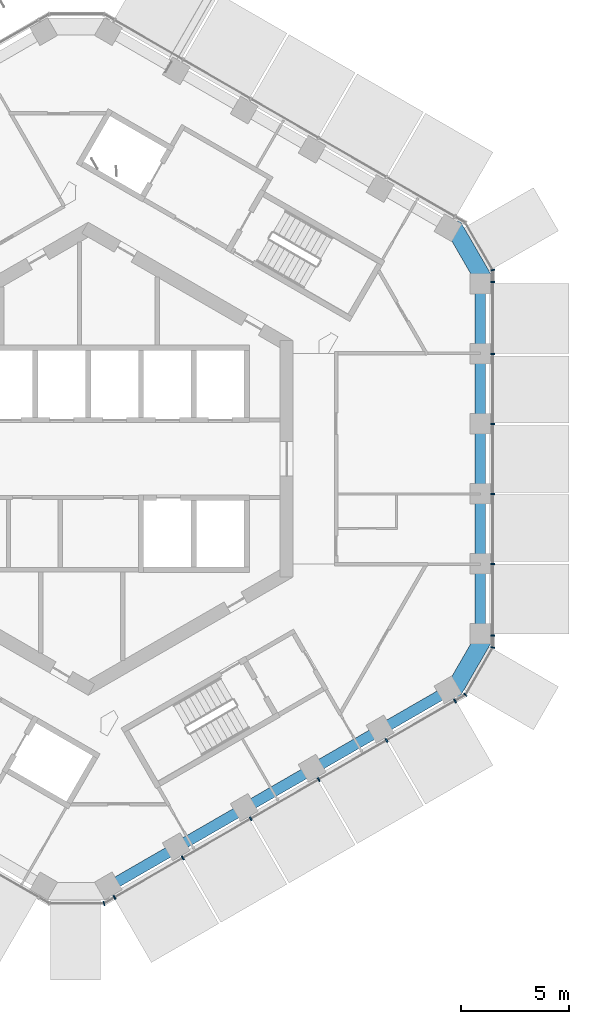
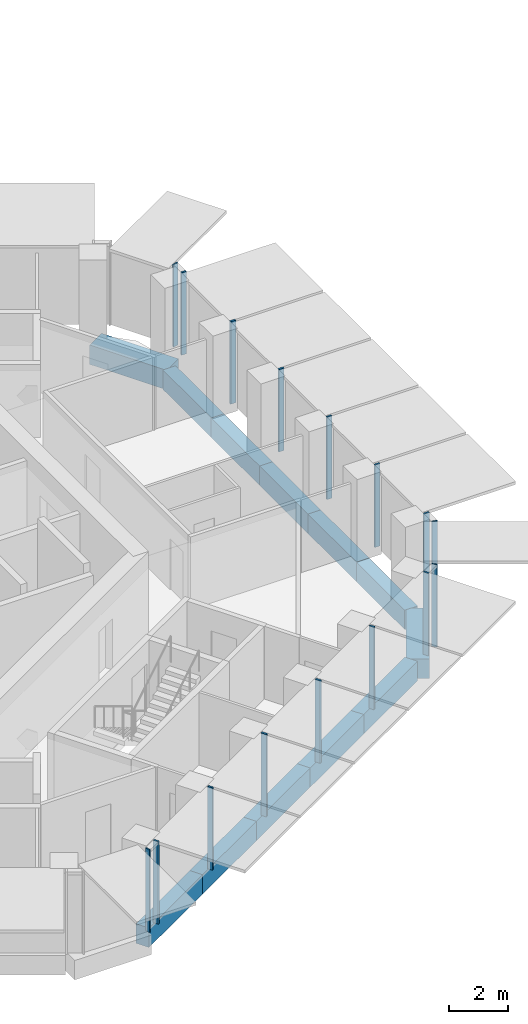
# One storey, part 4 of 21: 16 members, 12 beams, 5 elements without a shape of their own.
"""IFC4 building model written with IfcOpenShell, lengths in metres."""

from ifc_helpers import new_model, si_unit, direction, frame, origin, origin_2d, place, context, subcontext, project, spatial, rectangle, extrude, material, layer, layer_set, material_profile, profile_set, type_object, element, aggregate, save


model = new_model("IFC4")

# Units and contexts
model_context = context("Model", 3, precision=1e-05, world=origin(), true_north=direction((0.0, 1.0)))
body_context = subcontext(model_context, "Body", "Model", "MODEL_VIEW")
ifc_project = project(units=[si_unit("LENGTHUNIT", "METRE"), si_unit("AREAUNIT", "SQUARE_METRE"), si_unit("VOLUMEUNIT", "CUBIC_METRE"), si_unit("PLANEANGLEUNIT", "RADIAN"), si_unit("MASSUNIT", "GRAM", prefix="KILO")], contexts=[model_context])

# Site, building, storey
site_placement = place(None, origin())
site = spatial("IfcSite", under=ifc_project, at=site_placement, CompositionType="ELEMENT")
building_placement = place(site_placement, origin())
building = spatial("IfcBuilding", under=site, at=building_placement, Name="Ayvan Gate Tower", CompositionType="ELEMENT")
storey_placement = place(building_placement, frame((0.0, 0.0, 183.300048828125)))
storey = spatial("IfcBuildingStorey", under=building, at=storey_placement, Name="L49", CompositionType="ELEMENT", Elevation=183.300048828125)

# Beams
ifc_material_1 = material(Name="Concrete C40/50", Category="concrete")
ifc_material_profile_1 = material_profile(ifc_material_1, rectangle(XDim=0.800048828125, YDim=0.800048828125, at=origin_2d()), Name="RC 800x800")
ifc_profile_set_1 = profile_set([ifc_material_profile_1], Name="Concrete C40/50")
beam_type_1 = type_object("IfcBeamType", Name="Corner spandrel beam RC 800x800 C40/50", PredefinedType="BEAM", material=ifc_profile_set_1)
for number, where, z_axis, x_axis, name in (
    (1, (18.376953125, 8.2763671875, -0.75), (-0.50002537861, 0.866010750942, 0.0), (-0.866010750942, -0.50002537861, 0.0), "SB-L49-6"),
    (2, (16.876953125, -10.874267578125, -0.75), (0.50002537861, 0.866010750942, 0.0), (-0.866010750942, 0.50002537861, 0.0), "SB-L49-36"),
):
    element("IfcBeam", number, at=place(storey_placement, frame(where, z_axis=z_axis, x_axis=x_axis)), inside=storey, type_object=beam_type_1, Name=name, PredefinedType="BEAM", context=body_context, shape_type="SweptSolid", body=[
        extrude(rectangle(XDim=0.800048828125, YDim=0.800048828125, at=origin_2d()), origin(), (0.0, 0.0, 1.0), 2.999755859375),
    ])
ifc_material_profile_2 = material_profile(ifc_material_1, rectangle(XDim=0.5, YDim=0.800048828125, at=origin_2d()), Name="RC 500x800")
ifc_profile_set_2 = profile_set([ifc_material_profile_2], Name="Concrete C40/50")
beam_type_2 = type_object("IfcBeamType", Name="Spandrel beam RC 500x800 C40/50", PredefinedType="BEAM", material=ifc_profile_set_2)
beam_1_placement = place(storey_placement, frame((18.1865234375, -8.166259765625, -0.75), z_axis=(0.0, 1.0, 0.0), x_axis=(-1.0, 0.0, 0.0)))
element("IfcBeam", 3, at=beam_1_placement, inside=storey, type_object=beam_type_2, Name="SB-L49-1", PredefinedType="BEAM", context=body_context, shape_type="SweptSolid", body=[
    extrude(rectangle(XDim=0.5, YDim=0.800048828125, at=origin_2d()), origin(), (0.0, 0.0, 1.0), 3.266357421875),
])
for number, where, z_axis, x_axis, name in (
    (4, (18.1865234375, -4.89990234375, -0.75), (0.0, 1.0, 0.0), (-1.0, 0.0, 0.0), "SB-L49-2"),
    (5, (18.1865234375, -1.63330078125, -0.75), (0.0, 1.0, 0.0), (-1.0, 0.0, 0.0), "SB-L49-3"),
    (6, (18.1865234375, 1.63330078125, -0.75), (0.0, 1.0, 0.0), (-1.0, 0.0, 0.0), "SB-L49-4"),
):
    element("IfcBeam", number, at=place(storey_placement, frame(where, z_axis=z_axis, x_axis=x_axis)), inside=storey, type_object=beam_type_2, Name=name, PredefinedType="BEAM", context=body_context, shape_type="SweptSolid", body=[
        extrude(rectangle(XDim=0.5, YDim=0.800048828125, at=origin_2d()), origin(), (0.0, 0.0, 1.0), 3.2666015625),
    ])
beam_2_placement = place(storey_placement, frame((18.1865234375, 4.89990234375, -0.75), z_axis=(0.0, 1.0, 0.0), x_axis=(-1.0, 0.0, 0.0)))
element("IfcBeam", 7, at=beam_2_placement, inside=storey, type_object=beam_type_2, Name="SB-L49-5", PredefinedType="BEAM", context=body_context, shape_type="SweptSolid", body=[
    extrude(rectangle(XDim=0.5, YDim=0.800048828125, at=origin_2d()), origin(), (0.0, 0.0, 1.0), 3.266357421875),
])
beam_3_placement = place(storey_placement, frame((0.97900390625, -19.833251953125, -0.75), z_axis=(0.865989436427, 0.500062292116, 0.0), x_axis=(-0.500062292116, 0.865989436427, 0.0)))
element("IfcBeam", 8, at=beam_3_placement, inside=storey, type_object=beam_type_2, Name="SB-L49-31", PredefinedType="BEAM", context=body_context, shape_type="SweptSolid", body=[
    extrude(rectangle(XDim=0.5, YDim=0.800048828125, at=origin_2d()), origin(), (0.0, 0.0, 1.0), 3.62744140625),
])
for number, where, z_axis, x_axis, name in (
    (9, (4.120361328125, -18.019287109375, -0.75), (0.866035407144, 0.499982673273, 0.0), (-0.499982673273, 0.866035407144, 0.0), "SB-L49-32"),
    (10, (7.261962890625, -16.20556640625, -0.75), (0.866035407144, 0.499982673273, 0.0), (-0.499982673273, 0.866035407144, 0.0), "SB-L49-33"),
):
    element("IfcBeam", number, at=place(storey_placement, frame(where, z_axis=z_axis, x_axis=x_axis)), inside=storey, type_object=beam_type_2, Name=name, PredefinedType="BEAM", context=body_context, shape_type="SweptSolid", body=[
        extrude(rectangle(XDim=0.5, YDim=0.800048828125, at=origin_2d()), origin(), (0.0, 0.0, 1.0), 3.627685546875),
    ])
beam_4_placement = place(storey_placement, frame((10.403564453125, -14.391845703125, -0.75), z_axis=(0.86601858147, 0.500011816409, 0.0), x_axis=(-0.500011816409, 0.86601858147, 0.0)))
element("IfcBeam", 11, at=beam_4_placement, inside=storey, type_object=beam_type_2, Name="SB-L49-34", PredefinedType="BEAM", context=body_context, shape_type="SweptSolid", body=[
    extrude(rectangle(XDim=0.5, YDim=0.800048828125, at=origin_2d()), origin(), (0.0, 0.0, 1.0), 3.62744140625),
])
beam_5_placement = place(storey_placement, frame((13.544921875, -12.578125, -0.75), z_axis=(0.866035407144, 0.499982673273, 0.0), x_axis=(-0.499982673273, 0.866035407144, 0.0)))
element("IfcBeam", 12, at=beam_5_placement, inside=storey, type_object=beam_type_2, Name="SB-L49-35", PredefinedType="BEAM", context=body_context, shape_type="SweptSolid", body=[
    extrude(rectangle(XDim=0.5, YDim=0.800048828125, at=origin_2d()), origin(), (0.0, 0.0, 1.0), 3.627685546875),
])

# Curtain wall, members
ifc_material_2 = material(Name="Bronze anodised aluminium", Category="aluminium")
ifc_layer_1 = layer(ifc_material_2, 0.199951171875)
ifc_layer_set_1 = layer_set([ifc_layer_1], Name="Bronze anodised aluminium")
curtain_wall_type_1 = type_object("IfcCurtainWallType", Name="Stick curtain wall CW-2", PredefinedType="NOTDEFINED", material=ifc_layer_set_1)
curtain_wall_1_placement = place(storey_placement, origin())
curtain_wall_1 = element("IfcCurtainWall", 13, at=curtain_wall_1_placement, inside=storey, type_object=curtain_wall_type_1, Name="Stick curtain wall CW-2 L49", PredefinedType="NOTDEFINED")
ifc_material_profile_3 = material_profile(ifc_material_2, rectangle(XDim=0.199951171875, YDim=0.070068359375, at=origin_2d()), Name="Stick curtain wall CW-2 mullion 200 x 70")
ifc_profile_set_3 = profile_set([ifc_material_profile_3], Name="Bronze anodised aluminium")
member_type_1 = type_object("IfcMemberType", Name="Stick curtain wall CW-2 mullion 200 x 70", PredefinedType="MULLION", material=ifc_profile_set_3)
member_1_placement = place(storey_placement, frame((1.218017578125, -20.343994140625, 0.0), z_axis=(0.0, 0.0, 1.0), x_axis=(0.5, -0.866025403784, 0.0)))
member_1 = element("IfcMember", 14, at=member_1_placement, type_object=member_type_1, Name="CW-2 mullion 1", PredefinedType="MULLION", context=body_context, shape_type="SweptSolid", body=[
    extrude(rectangle(XDim=0.199951171875, YDim=0.070068359375, at=origin_2d()), origin(), (0.0, 0.0, 1.0), 3.39990234375),
])
member_2_placement = place(storey_placement, frame((4.388671875, -18.513427734375, 0.0), z_axis=(0.0, 0.0, 1.0), x_axis=(0.5, -0.866025403784, 0.0)))
member_2 = element("IfcMember", 15, at=member_2_placement, type_object=member_type_1, Name="CW-2 mullion 2", PredefinedType="MULLION", context=body_context, shape_type="SweptSolid", body=[
    extrude(rectangle(XDim=0.199951171875, YDim=0.070068359375, at=origin_2d()), origin(), (0.0, 0.0, 1.0), 3.39990234375),
])
member_3_placement = place(storey_placement, frame((7.538330078125, -16.69482421875, 0.0), z_axis=(0.0, 0.0, 1.0), x_axis=(0.5, -0.866025403784, 0.0)))
member_3 = element("IfcMember", 16, at=member_3_placement, type_object=member_type_1, Name="CW-2 mullion 3", PredefinedType="MULLION", context=body_context, shape_type="SweptSolid", body=[
    extrude(rectangle(XDim=0.199951171875, YDim=0.070068359375, at=origin_2d()), origin(), (0.0, 0.0, 1.0), 3.39990234375),
])
member_4_placement = place(storey_placement, frame((10.68896484375, -14.8759765625, 0.0), z_axis=(0.0, 0.0, 1.0), x_axis=(0.5, -0.866025403784, 0.0)))
member_4 = element("IfcMember", 17, at=member_4_placement, type_object=member_type_1, Name="CW-2 mullion 4", PredefinedType="MULLION", context=body_context, shape_type="SweptSolid", body=[
    extrude(rectangle(XDim=0.199951171875, YDim=0.070068359375, at=origin_2d()), origin(), (0.0, 0.0, 1.0), 3.39990234375),
])
member_5_placement = place(storey_placement, frame((13.838623046875, -13.057373046875, 0.0), z_axis=(0.0, 0.0, 1.0), x_axis=(0.5, -0.866025403784, 0.0)))
member_5 = element("IfcMember", 18, at=member_5_placement, type_object=member_type_1, Name="CW-2 mullion 5", PredefinedType="MULLION", context=body_context, shape_type="SweptSolid", body=[
    extrude(rectangle(XDim=0.199951171875, YDim=0.070068359375, at=origin_2d()), origin(), (0.0, 0.0, 1.0), 3.39990234375),
])
member_6_placement = place(storey_placement, frame((17.00927734375, -11.226806640625, 0.0), z_axis=(0.0, 0.0, 1.0), x_axis=(0.5, -0.866025403784, 0.0)))
member_6 = element("IfcMember", 19, at=member_6_placement, type_object=member_type_1, Name="CW-2 mullion 6", PredefinedType="MULLION", context=body_context, shape_type="SweptSolid", body=[
    extrude(rectangle(XDim=0.199951171875, YDim=0.070068359375, at=origin_2d()), origin(), (0.0, 0.0, 1.0), 3.39990234375),
])
aggregate(curtain_wall_1, [member_1, member_2, member_3, member_4, member_5, member_6])

curtain_wall_2_placement = place(storey_placement, origin())
curtain_wall_2 = element("IfcCurtainWall", 20, at=curtain_wall_2_placement, inside=storey, type_object=curtain_wall_type_1, Name="Stick curtain wall CW-2 L49", PredefinedType="NOTDEFINED")
member_7_placement = place(storey_placement, frame((18.761474609375, -8.19189453125, 0.0), z_axis=(0.0, 0.0, 1.0), x_axis=(1.0, 0.0, 0.0)))
member_7 = element("IfcMember", 21, at=member_7_placement, type_object=member_type_1, Name="CW-2 mullion 1", PredefinedType="MULLION", context=body_context, shape_type="SweptSolid", body=[
    extrude(rectangle(XDim=0.199951171875, YDim=0.070068359375, at=origin_2d()), origin(), (0.0, 0.0, 1.0), 3.39990234375),
])
member_8_placement = place(storey_placement, frame((18.761474609375, -4.869873046875, 0.0), z_axis=(0.0, 0.0, 1.0), x_axis=(1.0, 0.0, 0.0)))
member_8 = element("IfcMember", 22, at=member_8_placement, type_object=member_type_1, Name="CW-2 mullion 2", PredefinedType="MULLION", context=body_context, shape_type="SweptSolid", body=[
    extrude(rectangle(XDim=0.199951171875, YDim=0.070068359375, at=origin_2d()), origin(), (0.0, 0.0, 1.0), 3.39990234375),
])
member_9_placement = place(storey_placement, frame((18.761474609375, -1.622802734375, 0.0), z_axis=(0.0, 0.0, 1.0), x_axis=(1.0, 0.0, 0.0)))
member_9 = element("IfcMember", 23, at=member_9_placement, type_object=member_type_1, Name="CW-2 mullion 3", PredefinedType="MULLION", context=body_context, shape_type="SweptSolid", body=[
    extrude(rectangle(XDim=0.199951171875, YDim=0.070068359375, at=origin_2d()), origin(), (0.0, 0.0, 1.0), 3.39990234375),
])
member_10_placement = place(storey_placement, frame((18.761474609375, 1.623046875, 0.0), z_axis=(0.0, 0.0, 1.0), x_axis=(1.0, 0.0, 0.0)))
member_10 = element("IfcMember", 24, at=member_10_placement, type_object=member_type_1, Name="CW-2 mullion 4", PredefinedType="MULLION", context=body_context, shape_type="SweptSolid", body=[
    extrude(rectangle(XDim=0.199951171875, YDim=0.070068359375, at=origin_2d()), origin(), (0.0, 0.0, 1.0), 3.39990234375),
])
member_11_placement = place(storey_placement, frame((18.761474609375, 4.8701171875, 0.0), z_axis=(0.0, 0.0, 1.0), x_axis=(1.0, 0.0, 0.0)))
member_11 = element("IfcMember", 25, at=member_11_placement, type_object=member_type_1, Name="CW-2 mullion 5", PredefinedType="MULLION", context=body_context, shape_type="SweptSolid", body=[
    extrude(rectangle(XDim=0.199951171875, YDim=0.070068359375, at=origin_2d()), origin(), (0.0, 0.0, 1.0), 3.39990234375),
])
member_12_placement = place(storey_placement, frame((18.761474609375, 8.19189453125, 0.0), z_axis=(0.0, 0.0, 1.0), x_axis=(1.0, 0.0, 0.0)))
member_12 = element("IfcMember", 26, at=member_12_placement, type_object=member_type_1, Name="CW-2 mullion 6", PredefinedType="MULLION", context=body_context, shape_type="SweptSolid", body=[
    extrude(rectangle(XDim=0.199951171875, YDim=0.070068359375, at=origin_2d()), origin(), (0.0, 0.0, 1.0), 3.39990234375),
])
aggregate(curtain_wall_2, [member_7, member_8, member_9, member_10, member_11, member_12])

# Curtain wall, member
ifc_layer_2 = layer(ifc_material_2, 0.199951171875)
ifc_layer_set_2 = layer_set([ifc_layer_2], Name="Bronze anodised aluminium")
curtain_wall_type_2 = type_object("IfcCurtainWallType", Name="Stick curtain wall CW-6", PredefinedType="NOTDEFINED", material=ifc_layer_set_2)
curtain_wall_3_placement = place(storey_placement, origin())
curtain_wall_3 = element("IfcCurtainWall", 27, at=curtain_wall_3_placement, inside=storey, type_object=curtain_wall_type_2, Name="Stick curtain wall CW-6 L49", PredefinedType="NOTDEFINED")
ifc_material_profile_4 = material_profile(ifc_material_2, rectangle(XDim=0.199951171875, YDim=0.050048828125, at=origin_2d()), Name="Stick curtain wall CW-6 mullion 200 x 50")
ifc_profile_set_4 = profile_set([ifc_material_profile_4], Name="Bronze anodised aluminium")
member_type_2 = type_object("IfcMemberType", Name="Stick curtain wall CW-6 mullion 200 x 50", PredefinedType="MULLION", material=ifc_profile_set_4)
member_13_placement = place(storey_placement, frame((0.733154296875, -20.6240234375, 0.0), z_axis=(0.0, 0.0, 1.0), x_axis=(0.258819045103, -0.965925826289, 0.0)))
member_13 = element("IfcMember", 28, at=member_13_placement, type_object=member_type_2, Name="CW-6 mullion 3", PredefinedType="MULLION", context=body_context, shape_type="SweptSolid", body=[
    extrude(rectangle(XDim=0.199951171875, YDim=0.050048828125, at=origin_2d()), origin(), (0.0, 0.0, 1.0), 3.39990234375),
])
aggregate(curtain_wall_3, [member_13])

# Curtain wall, members
curtain_wall_4_placement = place(storey_placement, origin())
curtain_wall_4 = element("IfcCurtainWall", 29, at=curtain_wall_4_placement, inside=storey, type_object=curtain_wall_type_2, Name="Stick curtain wall CW-6 L49", PredefinedType="NOTDEFINED")
member_14_placement = place(storey_placement, frame((17.494140625, -10.94677734375, 0.0), z_axis=(0.0, 0.0, 1.0), x_axis=(0.707106781187, -0.707106781187, 0.0)))
member_14 = element("IfcMember", 30, at=member_14_placement, type_object=member_type_2, Name="CW-6 mullion 2", PredefinedType="MULLION", context=body_context, shape_type="SweptSolid", body=[
    extrude(rectangle(XDim=0.199951171875, YDim=0.050048828125, at=origin_2d()), origin(), (0.0, 0.0, 1.0), 3.39990234375),
])
member_15_placement = place(storey_placement, frame((18.761474609375, -8.751953125, 0.0), z_axis=(0.0, 0.0, 1.0), x_axis=(0.965925826289, -0.258819045103, 0.0)))
member_15 = element("IfcMember", 31, at=member_15_placement, type_object=member_type_2, Name="CW-6 mullion 3", PredefinedType="MULLION", context=body_context, shape_type="SweptSolid", body=[
    extrude(rectangle(XDim=0.199951171875, YDim=0.050048828125, at=origin_2d()), origin(), (0.0, 0.0, 1.0), 3.39990234375),
])
aggregate(curtain_wall_4, [member_14, member_15])

# Curtain wall, member
curtain_wall_5_placement = place(storey_placement, origin())
curtain_wall_5 = element("IfcCurtainWall", 32, at=curtain_wall_5_placement, inside=storey, type_object=curtain_wall_type_2, Name="Stick curtain wall CW-6 L49", PredefinedType="NOTDEFINED")
member_16_placement = place(storey_placement, frame((18.761474609375, 8.751953125, 0.0), z_axis=(0.0, 0.0, 1.0), x_axis=(0.965925826289, 0.258819045103, 0.0)))
member_16 = element("IfcMember", 33, at=member_16_placement, type_object=member_type_2, Name="CW-6 mullion 2", PredefinedType="MULLION", context=body_context, shape_type="SweptSolid", body=[
    extrude(rectangle(XDim=0.199951171875, YDim=0.050048828125, at=origin_2d()), origin(), (0.0, 0.0, 1.0), 3.39990234375),
])
aggregate(curtain_wall_5, [member_16])

save(model, "model.ifc")
